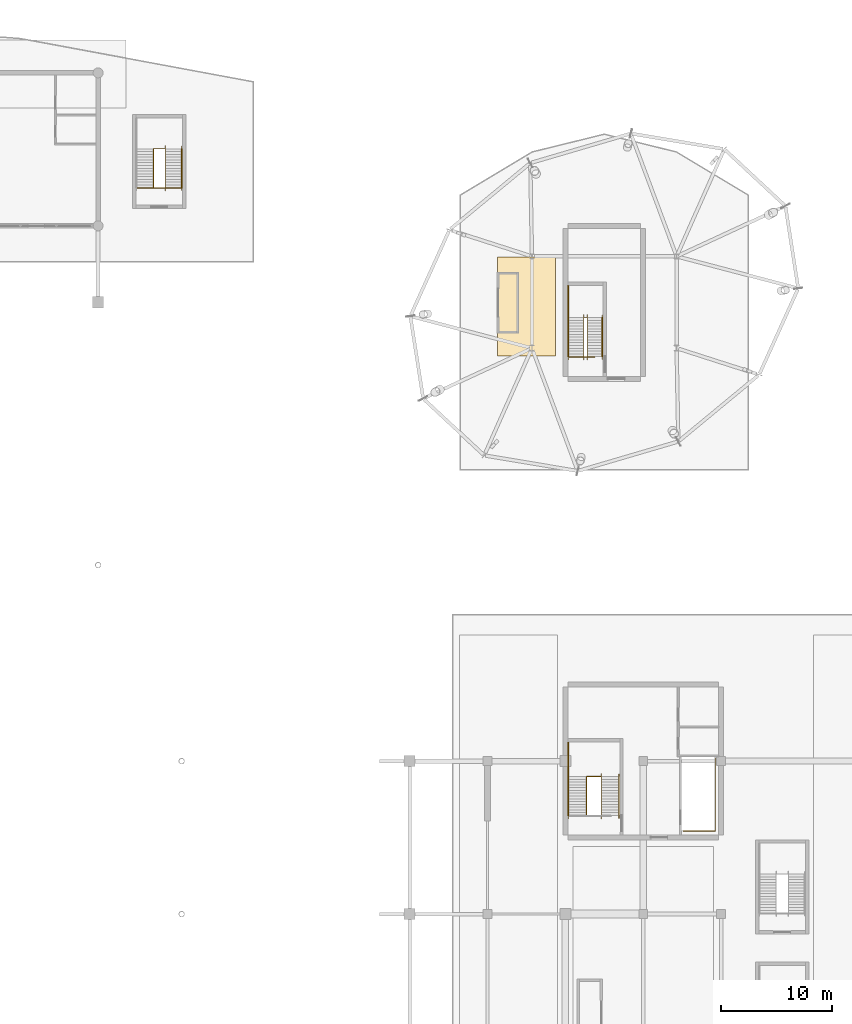
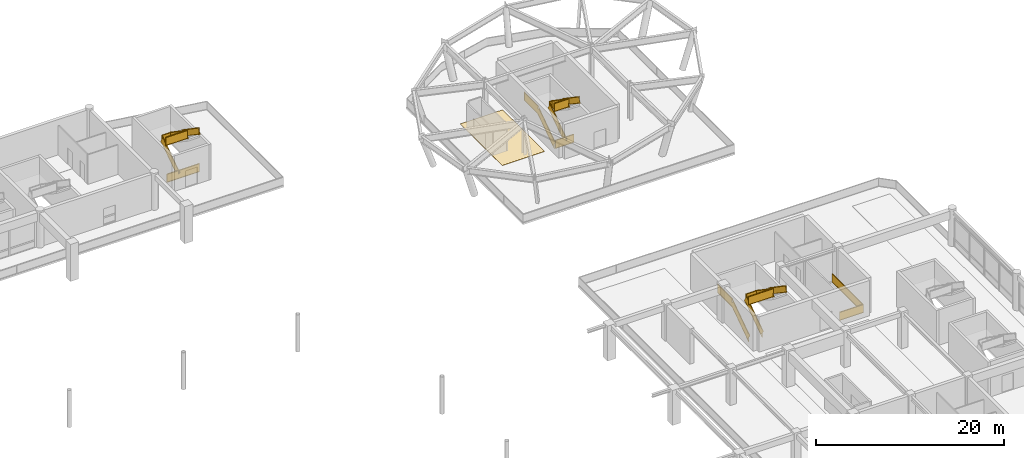
# One storey, part 90 of 91: 11 railings, 1 covering.
"""IFC4 building model written with IfcOpenShell, lengths in metres."""

from ifc_helpers import new_model, si_unit, direction, frame, origin, origin_2d, place, context, subcontext, project, spatial, polyline, rectangle, outline, extrude, material, layer, layer_set, type_object, element, save


model = new_model("IFC4")

# Units and contexts
model_context = context("Model", 3, precision=1e-05, world=origin(), true_north=direction((0.0, 1.0)))
body_context = subcontext(model_context, "Body", "Model", "MODEL_VIEW")
ifc_project = project(units=[si_unit("LENGTHUNIT", "METRE"), si_unit("AREAUNIT", "SQUARE_METRE"), si_unit("VOLUMEUNIT", "CUBIC_METRE"), si_unit("PLANEANGLEUNIT", "RADIAN"), si_unit("MASSUNIT", "GRAM", prefix="KILO")], contexts=[model_context])

# Site, building, storey
site_placement = place(None, origin())
site = spatial("IfcSite", under=ifc_project, at=site_placement, CompositionType="ELEMENT")
building_placement = place(site_placement, origin())
building = spatial("IfcBuilding", under=site, at=building_placement, Name="Linyun Crest Stadium", CompositionType="ELEMENT")
storey_placement = place(building_placement, frame((0.0, 0.0, 11.39990234375)))
storey = spatial("IfcBuildingStorey", under=building, at=storey_placement, Name="L03", CompositionType="ELEMENT", Elevation=11.39990234375)

# Covering
ifc_material_1 = material(Name="Terrazzo concourse and hospitality floor finish")
ifc_layer = layer(ifc_material_1, 0.02197265625)
ifc_layer_set = layer_set([ifc_layer], Name="Terrazzo concourse and hospitality floor finish")
covering_type = type_object("IfcCoveringType", Name="FLR02", PredefinedType="FLOORING", material=ifc_layer_set)
covering_placement = place(storey_placement, origin())
element("IfcCovering", 1, at=covering_placement, inside=storey, type_object=covering_type, Name="Terrazzo flooring FLR02 73", PredefinedType="FLOORING", context=body_context, shape_type="SweptSolid", body=[
    extrude(outline(polyline([(63.89990234375, 79.800048828125), (69.10009765625, 79.800048828125), (69.10009765625, 88.699951171875), (63.89990234375, 88.699951171875), (63.89990234375, 79.800048828125)])), origin(), (0.0, 0.0, 1.0), 0.022216796875),
])

# Railings
ifc_material_2 = material(Name="Galvanized and powder-coated steel bowl safety barrier", Category="steel")
railing_type_1 = type_object("IfcRailingType", Name="GR02", PredefinedType="GUARDRAIL", material=ifc_material_2)
railing_1_placement = place(storey_placement, frame((80.580078125, 37.090087890625, 0.0)))
element("IfcRailing", 2, at=railing_1_placement, inside=storey, type_object=railing_type_1, Name="Slab edge balustrade GR02 152", PredefinedType="GUARDRAIL", context=body_context, shape_type="SweptSolid", body=[
    extrude(rectangle(XDim=0.06005859375, YDim=0.06005859375, at=origin_2d()), frame((0.0, 0.0, 1.090087890625), z_axis=(1.0, 0.0, 0.0), x_axis=(0.0, 1.0, 0.0)), (0.0, 0.0, 1.0), 2.8798828125),
    extrude(rectangle(XDim=0.030029296875, YDim=1.0, at=origin_2d()), frame((0.0, 0.0, 0.56005859375), z_axis=(1.0, 0.0, 0.0), x_axis=(0.0, 1.0, 0.0)), (0.0, 0.0, 1.0), 2.8798828125),
    extrude(rectangle(XDim=0.06005859375, YDim=0.06005859375, at=origin_2d()), frame((0.0, 0.0, 0.030029296875), z_axis=(1.0, 0.0, 0.0), x_axis=(0.0, 1.0, 0.0)), (0.0, 0.0, 1.0), 2.8798828125),
    extrude(rectangle(XDim=0.06005859375, YDim=0.06005859375, at=origin_2d()), frame((2.8798828125, 0.0, 1.090087890625), z_axis=(0.0, 1.0, 0.0), x_axis=(-1.0, 0.0, 0.0)), (0.0, 0.0, 1.0), 6.5498046875),
    extrude(rectangle(XDim=0.030029296875, YDim=1.0, at=origin_2d()), frame((2.8798828125, 0.0, 0.56005859375), z_axis=(0.0, 1.0, 0.0), x_axis=(-1.0, 0.0, 0.0)), (0.0, 0.0, 1.0), 6.5498046875),
    extrude(rectangle(XDim=0.06005859375, YDim=0.06005859375, at=origin_2d()), frame((2.8798828125, 0.0, 0.030029296875), z_axis=(0.0, 1.0, 0.0), x_axis=(-1.0, 0.0, 0.0)), (0.0, 0.0, 1.0), 6.5498046875),
    extrude(rectangle(XDim=0.050048828125, YDim=0.050048828125, at=origin_2d()), origin(), (0.0, 0.0, 1.0), 1.1201171875),
    extrude(rectangle(XDim=0.050048828125, YDim=0.050048828125, at=origin_2d()), frame((2.8798828125, 0.0, 0.0)), (0.0, 0.0, 1.0), 1.1201171875),
    extrude(rectangle(XDim=0.050048828125, YDim=0.050048828125, at=origin_2d()), frame((2.8798828125, 3.27490234375, 0.0)), (0.0, 0.0, 1.0), 1.1201171875),
    extrude(rectangle(XDim=0.050048828125, YDim=0.050048828125, at=origin_2d()), frame((2.8798828125, 6.5498046875, 0.0)), (0.0, 0.0, 1.0), 1.1201171875),
])
railing_2_placement = place(storey_placement, frame((31.5400390625, 94.889892578125, 0.0)))
element("IfcRailing", 3, at=railing_2_placement, inside=storey, type_object=railing_type_1, Name="Slab edge balustrade GR02 206", PredefinedType="GUARDRAIL", context=body_context, shape_type="SweptSolid", body=[
    extrude(rectangle(XDim=0.06005859375, YDim=0.06005859375, at=origin_2d()), frame((0.0, 0.0, 1.090087890625), z_axis=(1.0, 0.0, 0.0), x_axis=(0.0, 1.0, 0.0)), (0.0, 0.0, 1.0), 3.919921875),
    extrude(rectangle(XDim=0.030029296875, YDim=1.0, at=origin_2d()), frame((0.0, 0.0, 0.56005859375), z_axis=(1.0, 0.0, 0.0), x_axis=(0.0, 1.0, 0.0)), (0.0, 0.0, 1.0), 3.919921875),
    extrude(rectangle(XDim=0.06005859375, YDim=0.06005859375, at=origin_2d()), frame((0.0, 0.0, 0.030029296875), z_axis=(1.0, 0.0, 0.0), x_axis=(0.0, 1.0, 0.0)), (0.0, 0.0, 1.0), 3.919921875),
    extrude(rectangle(XDim=0.050048828125, YDim=0.050048828125, at=origin_2d()), origin(), (0.0, 0.0, 1.0), 1.1201171875),
    extrude(rectangle(XDim=0.050048828125, YDim=0.050048828125, at=origin_2d()), frame((3.919921875, 0.0, 0.0)), (0.0, 0.0, 1.0), 1.1201171875),
])
railing_3_placement = place(storey_placement, frame((70.364990234375, 79.7099609375, 0.0)))
element("IfcRailing", 4, at=railing_3_placement, inside=storey, type_object=railing_type_1, Name="Slab edge balustrade GR02 336", PredefinedType="GUARDRAIL", context=body_context, shape_type="SweptSolid", body=[
    extrude(rectangle(XDim=0.06005859375, YDim=0.06005859375, at=origin_2d()), frame((0.0, 0.0, 1.090087890625), z_axis=(1.0, 0.0, 0.0), x_axis=(0.0, 1.0, 0.0)), (0.0, 0.0, 1.0), 2.235107421875),
    extrude(rectangle(XDim=0.030029296875, YDim=1.0, at=origin_2d()), frame((0.0, 0.0, 0.56005859375), z_axis=(1.0, 0.0, 0.0), x_axis=(0.0, 1.0, 0.0)), (0.0, 0.0, 1.0), 2.235107421875),
    extrude(rectangle(XDim=0.06005859375, YDim=0.06005859375, at=origin_2d()), frame((0.0, 0.0, 0.030029296875), z_axis=(1.0, 0.0, 0.0), x_axis=(0.0, 1.0, 0.0)), (0.0, 0.0, 1.0), 2.235107421875),
    extrude(rectangle(XDim=0.050048828125, YDim=0.050048828125, at=origin_2d()), origin(), (0.0, 0.0, 1.0), 1.1201171875),
    extrude(rectangle(XDim=0.050048828125, YDim=0.050048828125, at=origin_2d()), frame((2.235107421875, 0.0, 0.0)), (0.0, 0.0, 1.0), 1.1201171875),
])
ifc_material_3 = material(Name="Painted steel stairwell safety guard", Category="steel")
railing_type_2 = type_object("IfcRailingType", Name="GR03", PredefinedType="GUARDRAIL", material=ifc_material_3)
railing_4_placement = place(storey_placement, frame((70.2548828125, 38.489990234375, 0.0)))
element("IfcRailing", 5, at=railing_4_placement, inside=storey, type_object=railing_type_2, Name="STR-06-L03 outer guard", PredefinedType="GUARDRAIL", context=body_context, shape_type="SweptSolid", body=[
    extrude(rectangle(XDim=0.06005859375, YDim=0.06005859375, at=origin_2d()), frame((0.0, 0.0, 1.090087890625), z_axis=(0.0, 0.824712752785, 0.565551832633), x_axis=(-1.0, 0.0, 0.0)), (0.0, 0.0, 1.0), 4.243896484375),
    extrude(rectangle(XDim=0.030029296875, YDim=1.0, at=origin_2d()), frame((0.0, 0.0, 0.56005859375), z_axis=(0.0, 0.824712752785, 0.565551832633), x_axis=(-1.0, 0.0, 0.0)), (0.0, 0.0, 1.0), 4.243896484375),
    extrude(rectangle(XDim=0.06005859375, YDim=0.06005859375, at=origin_2d()), frame((0.0, 0.0, 0.030029296875), z_axis=(0.0, 0.824712752785, 0.565551832633), x_axis=(-1.0, 0.0, 0.0)), (0.0, 0.0, 1.0), 4.243896484375),
    extrude(rectangle(XDim=0.06005859375, YDim=0.06005859375, at=origin_2d()), frame((0.0, 3.5, 3.490234375), z_axis=(0.0, 1.0, 0.0), x_axis=(-1.0, 0.0, 0.0)), (0.0, 0.0, 1.0), 3.080078125),
    extrude(rectangle(XDim=0.030029296875, YDim=1.0, at=origin_2d()), frame((0.0, 3.5, 2.960205078125), z_axis=(0.0, 1.0, 0.0), x_axis=(-1.0, 0.0, 0.0)), (0.0, 0.0, 1.0), 3.080078125),
    extrude(rectangle(XDim=0.06005859375, YDim=0.06005859375, at=origin_2d()), frame((0.0, 3.5, 2.43017578125), z_axis=(0.0, 1.0, 0.0), x_axis=(-1.0, 0.0, 0.0)), (0.0, 0.0, 1.0), 3.080078125),
    extrude(rectangle(XDim=0.050048828125, YDim=0.050048828125, at=origin_2d()), origin(), (0.0, 0.0, 1.0), 1.1201171875),
    extrude(rectangle(XDim=0.050048828125, YDim=0.050048828125, at=origin_2d()), frame((0.0, 1.166748046875, 0.800048828125)), (0.0, 0.0, 1.0), 1.1201171875),
    extrude(rectangle(XDim=0.050048828125, YDim=0.050048828125, at=origin_2d()), frame((0.0, 2.333251953125, 1.60009765625)), (0.0, 0.0, 1.0), 1.1201171875),
    extrude(rectangle(XDim=0.050048828125, YDim=0.050048828125, at=origin_2d()), frame((0.0, 3.5, 2.400146484375)), (0.0, 0.0, 1.0), 1.1201171875),
    extrude(rectangle(XDim=0.050048828125, YDim=0.050048828125, at=origin_2d()), frame((0.0, 5.0400390625, 2.400146484375)), (0.0, 0.0, 1.0), 1.1201171875),
    extrude(rectangle(XDim=0.050048828125, YDim=0.050048828125, at=origin_2d()), frame((0.0, 6.580078125, 2.400146484375)), (0.0, 0.0, 1.0), 1.1201171875),
])
railing_5_placement = place(storey_placement, frame((71.89501953125, 38.469970703125, 0.0)))
element("IfcRailing", 6, at=railing_5_placement, inside=storey, type_object=railing_type_2, Name="STR-06-L03 inner well guard", PredefinedType="GUARDRAIL", context=body_context, shape_type="SweptSolid", body=[
    extrude(rectangle(XDim=0.06005859375, YDim=0.06005859375, at=origin_2d()), frame((0.0, 0.0, 1.090087890625), z_axis=(0.0, 0.826212794201, 0.563358162005), x_axis=(-1.0, 0.0, 0.0)), (0.0, 0.0, 1.0), 4.260498046875),
    extrude(rectangle(XDim=0.030029296875, YDim=1.0, at=origin_2d()), frame((0.0, 0.0, 0.56005859375), z_axis=(0.0, 0.826212794201, 0.563358162005), x_axis=(-1.0, 0.0, 0.0)), (0.0, 0.0, 1.0), 4.260498046875),
    extrude(rectangle(XDim=0.06005859375, YDim=0.06005859375, at=origin_2d()), frame((0.0, 0.0, 0.030029296875), z_axis=(0.0, 0.826212794201, 0.563358162005), x_axis=(-1.0, 0.0, 0.0)), (0.0, 0.0, 1.0), 4.260498046875),
    extrude(rectangle(XDim=0.06005859375, YDim=0.06005859375, at=origin_2d()), frame((0.0, 3.52001953125, 3.490234375), z_axis=(1.0, 0.0, 0.0), x_axis=(0.0, 1.0, 0.0)), (0.0, 0.0, 1.0), 1.3349609375),
    extrude(rectangle(XDim=0.030029296875, YDim=1.0, at=origin_2d()), frame((0.0, 3.52001953125, 2.960205078125), z_axis=(1.0, 0.0, 0.0), x_axis=(0.0, 1.0, 0.0)), (0.0, 0.0, 1.0), 1.3349609375),
    extrude(rectangle(XDim=0.06005859375, YDim=0.06005859375, at=origin_2d()), frame((0.0, 3.52001953125, 2.43017578125), z_axis=(1.0, 0.0, 0.0), x_axis=(0.0, 1.0, 0.0)), (0.0, 0.0, 1.0), 1.3349609375),
    extrude(rectangle(XDim=0.06005859375, YDim=0.06005859375, at=origin_2d()), frame((1.3349609375, 3.52001953125, 3.490234375), z_axis=(0.0, -0.826239466617, 0.563319042644), x_axis=(1.0, 0.0, 0.0)), (0.0, 0.0, 1.0), 4.26025390625),
    extrude(rectangle(XDim=0.030029296875, YDim=1.0, at=origin_2d()), frame((1.3349609375, 3.52001953125, 2.960205078125), z_axis=(0.0, -0.826239466617, 0.563319042644), x_axis=(1.0, 0.0, 0.0)), (0.0, 0.0, 1.0), 4.26025390625),
    extrude(rectangle(XDim=0.06005859375, YDim=0.06005859375, at=origin_2d()), frame((1.3349609375, 3.52001953125, 2.43017578125), z_axis=(0.0, -0.826239466617, 0.563319042644), x_axis=(1.0, 0.0, 0.0)), (0.0, 0.0, 1.0), 4.26025390625),
    extrude(rectangle(XDim=0.06005859375, YDim=0.06005859375, at=origin_2d()), frame((1.3349609375, 0.0, 5.89013671875), z_axis=(-1.0, 0.0, 0.0), x_axis=(0.0, -1.0, 0.0)), (0.0, 0.0, 1.0), 2.98486328125),
    extrude(rectangle(XDim=0.030029296875, YDim=1.0, at=origin_2d()), frame((1.3349609375, 0.0, 5.360107421875), z_axis=(-1.0, 0.0, 0.0), x_axis=(0.0, -1.0, 0.0)), (0.0, 0.0, 1.0), 2.98486328125),
    extrude(rectangle(XDim=0.06005859375, YDim=0.06005859375, at=origin_2d()), frame((1.3349609375, 0.0, 4.830078125), z_axis=(-1.0, 0.0, 0.0), x_axis=(0.0, -1.0, 0.0)), (0.0, 0.0, 1.0), 2.98486328125),
    extrude(rectangle(XDim=0.050048828125, YDim=0.050048828125, at=origin_2d()), origin(), (0.0, 0.0, 1.0), 1.1201171875),
    extrude(rectangle(XDim=0.050048828125, YDim=0.050048828125, at=origin_2d()), frame((0.0, 1.17333984375, 0.800048828125)), (0.0, 0.0, 1.0), 1.1201171875),
    extrude(rectangle(XDim=0.050048828125, YDim=0.050048828125, at=origin_2d()), frame((0.0, 2.3466796875, 1.60009765625)), (0.0, 0.0, 1.0), 1.1201171875),
    extrude(rectangle(XDim=0.050048828125, YDim=0.050048828125, at=origin_2d()), frame((0.0, 3.52001953125, 2.400146484375)), (0.0, 0.0, 1.0), 1.1201171875),
    extrude(rectangle(XDim=0.050048828125, YDim=0.050048828125, at=origin_2d()), frame((1.3349609375, 3.52001953125, 2.400146484375)), (0.0, 0.0, 1.0), 1.1201171875),
    extrude(rectangle(XDim=0.050048828125, YDim=0.050048828125, at=origin_2d()), frame((1.3349609375, 2.3466796875, 3.2001953125)), (0.0, 0.0, 1.0), 1.1201171875),
    extrude(rectangle(XDim=0.050048828125, YDim=0.050048828125, at=origin_2d()), frame((1.3349609375, 1.17333984375, 4.0)), (0.0, 0.0, 1.0), 1.1201171875),
    extrude(rectangle(XDim=0.050048828125, YDim=0.050048828125, at=origin_2d()), frame((1.3349609375, 0.0, 4.800048828125)), (0.0, 0.0, 1.0), 1.1201171875),
    extrude(rectangle(XDim=0.050048828125, YDim=0.050048828125, at=origin_2d()), frame((-0.157470703125, 0.0, 4.800048828125)), (0.0, 0.0, 1.0), 1.1201171875),
    extrude(rectangle(XDim=0.050048828125, YDim=0.050048828125, at=origin_2d()), frame((-1.64990234375, 0.0, 4.800048828125)), (0.0, 0.0, 1.0), 1.1201171875),
])
railing_6_placement = place(storey_placement, frame((70.2548828125, 79.739990234375, 0.0)))
element("IfcRailing", 7, at=railing_6_placement, inside=storey, type_object=railing_type_2, Name="STR-12-L03 outer guard", PredefinedType="GUARDRAIL", context=body_context, shape_type="SweptSolid", body=[
    extrude(rectangle(XDim=0.06005859375, YDim=0.06005859375, at=origin_2d()), frame((0.0, 0.0, 1.090087890625), z_axis=(0.0, 0.824712752785, 0.565551832633), x_axis=(-1.0, 0.0, 0.0)), (0.0, 0.0, 1.0), 4.243896484375),
    extrude(rectangle(XDim=0.030029296875, YDim=1.0, at=origin_2d()), frame((0.0, 0.0, 0.56005859375), z_axis=(0.0, 0.824712752785, 0.565551832633), x_axis=(-1.0, 0.0, 0.0)), (0.0, 0.0, 1.0), 4.243896484375),
    extrude(rectangle(XDim=0.06005859375, YDim=0.06005859375, at=origin_2d()), frame((0.0, 0.0, 0.030029296875), z_axis=(0.0, 0.824712752785, 0.565551832633), x_axis=(-1.0, 0.0, 0.0)), (0.0, 0.0, 1.0), 4.243896484375),
    extrude(rectangle(XDim=0.06005859375, YDim=0.06005859375, at=origin_2d()), frame((0.0, 3.5, 3.490234375), z_axis=(0.0, 1.0, 0.0), x_axis=(-1.0, 0.0, 0.0)), (0.0, 0.0, 1.0), 2.880126953125),
    extrude(rectangle(XDim=0.030029296875, YDim=1.0, at=origin_2d()), frame((0.0, 3.5, 2.960205078125), z_axis=(0.0, 1.0, 0.0), x_axis=(-1.0, 0.0, 0.0)), (0.0, 0.0, 1.0), 2.880126953125),
    extrude(rectangle(XDim=0.06005859375, YDim=0.06005859375, at=origin_2d()), frame((0.0, 3.5, 2.43017578125), z_axis=(0.0, 1.0, 0.0), x_axis=(-1.0, 0.0, 0.0)), (0.0, 0.0, 1.0), 2.880126953125),
    extrude(rectangle(XDim=0.050048828125, YDim=0.050048828125, at=origin_2d()), origin(), (0.0, 0.0, 1.0), 1.1201171875),
    extrude(rectangle(XDim=0.050048828125, YDim=0.050048828125, at=origin_2d()), frame((0.0, 1.166748046875, 0.800048828125)), (0.0, 0.0, 1.0), 1.1201171875),
    extrude(rectangle(XDim=0.050048828125, YDim=0.050048828125, at=origin_2d()), frame((0.0, 2.333251953125, 1.60009765625)), (0.0, 0.0, 1.0), 1.1201171875),
    extrude(rectangle(XDim=0.050048828125, YDim=0.050048828125, at=origin_2d()), frame((0.0, 3.5, 2.400146484375)), (0.0, 0.0, 1.0), 1.1201171875),
    extrude(rectangle(XDim=0.050048828125, YDim=0.050048828125, at=origin_2d()), frame((0.0, 4.93994140625, 2.400146484375)), (0.0, 0.0, 1.0), 1.1201171875),
    extrude(rectangle(XDim=0.050048828125, YDim=0.050048828125, at=origin_2d()), frame((0.0, 6.380126953125, 2.400146484375)), (0.0, 0.0, 1.0), 1.1201171875),
])
railing_7_placement = place(storey_placement, frame((71.64501953125, 79.719970703125, 0.0)))
element("IfcRailing", 8, at=railing_7_placement, inside=storey, type_object=railing_type_2, Name="STR-12-L03 inner well guard", PredefinedType="GUARDRAIL", context=body_context, shape_type="SweptSolid", body=[
    extrude(rectangle(XDim=0.06005859375, YDim=0.06005859375, at=origin_2d()), frame((0.0, 0.0, 1.090087890625), z_axis=(0.0, 0.826212794201, 0.563358162005), x_axis=(-1.0, 0.0, 0.0)), (0.0, 0.0, 1.0), 4.260498046875),
    extrude(rectangle(XDim=0.030029296875, YDim=1.0, at=origin_2d()), frame((0.0, 0.0, 0.56005859375), z_axis=(0.0, 0.826212794201, 0.563358162005), x_axis=(-1.0, 0.0, 0.0)), (0.0, 0.0, 1.0), 4.260498046875),
    extrude(rectangle(XDim=0.06005859375, YDim=0.06005859375, at=origin_2d()), frame((0.0, 0.0, 0.030029296875), z_axis=(0.0, 0.826212794201, 0.563358162005), x_axis=(-1.0, 0.0, 0.0)), (0.0, 0.0, 1.0), 4.260498046875),
    extrude(rectangle(XDim=0.06005859375, YDim=0.06005859375, at=origin_2d()), frame((0.0, 3.52001953125, 3.490234375), z_axis=(1.0, 0.0, 0.0), x_axis=(0.0, 1.0, 0.0)), (0.0, 0.0, 1.0), 0.3349609375),
    extrude(rectangle(XDim=0.030029296875, YDim=1.0, at=origin_2d()), frame((0.0, 3.52001953125, 2.960205078125), z_axis=(1.0, 0.0, 0.0), x_axis=(0.0, 1.0, 0.0)), (0.0, 0.0, 1.0), 0.3349609375),
    extrude(rectangle(XDim=0.06005859375, YDim=0.06005859375, at=origin_2d()), frame((0.0, 3.52001953125, 2.43017578125), z_axis=(1.0, 0.0, 0.0), x_axis=(0.0, 1.0, 0.0)), (0.0, 0.0, 1.0), 0.3349609375),
    extrude(rectangle(XDim=0.06005859375, YDim=0.06005859375, at=origin_2d()), frame((0.3349609375, 3.52001953125, 3.490234375), z_axis=(0.0, -0.826239466617, 0.563319042644), x_axis=(1.0, 0.0, 0.0)), (0.0, 0.0, 1.0), 4.26025390625),
    extrude(rectangle(XDim=0.030029296875, YDim=1.0, at=origin_2d()), frame((0.3349609375, 3.52001953125, 2.960205078125), z_axis=(0.0, -0.826239466617, 0.563319042644), x_axis=(1.0, 0.0, 0.0)), (0.0, 0.0, 1.0), 4.26025390625),
    extrude(rectangle(XDim=0.06005859375, YDim=0.06005859375, at=origin_2d()), frame((0.3349609375, 3.52001953125, 2.43017578125), z_axis=(0.0, -0.826239466617, 0.563319042644), x_axis=(1.0, 0.0, 0.0)), (0.0, 0.0, 1.0), 4.26025390625),
    extrude(rectangle(XDim=0.06005859375, YDim=0.06005859375, at=origin_2d()), frame((0.3349609375, 0.0, 5.89013671875), z_axis=(-1.0, 0.0, 0.0), x_axis=(0.0, -1.0, 0.0)), (0.0, 0.0, 1.0), 1.73486328125),
    extrude(rectangle(XDim=0.030029296875, YDim=1.0, at=origin_2d()), frame((0.3349609375, 0.0, 5.360107421875), z_axis=(-1.0, 0.0, 0.0), x_axis=(0.0, -1.0, 0.0)), (0.0, 0.0, 1.0), 1.73486328125),
    extrude(rectangle(XDim=0.06005859375, YDim=0.06005859375, at=origin_2d()), frame((0.3349609375, 0.0, 4.830078125), z_axis=(-1.0, 0.0, 0.0), x_axis=(0.0, -1.0, 0.0)), (0.0, 0.0, 1.0), 1.73486328125),
    extrude(rectangle(XDim=0.050048828125, YDim=0.050048828125, at=origin_2d()), origin(), (0.0, 0.0, 1.0), 1.1201171875),
    extrude(rectangle(XDim=0.050048828125, YDim=0.050048828125, at=origin_2d()), frame((0.0, 1.17333984375, 0.800048828125)), (0.0, 0.0, 1.0), 1.1201171875),
    extrude(rectangle(XDim=0.050048828125, YDim=0.050048828125, at=origin_2d()), frame((0.0, 2.3466796875, 1.60009765625)), (0.0, 0.0, 1.0), 1.1201171875),
    extrude(rectangle(XDim=0.050048828125, YDim=0.050048828125, at=origin_2d()), frame((0.0, 3.52001953125, 2.400146484375)), (0.0, 0.0, 1.0), 1.1201171875),
    extrude(rectangle(XDim=0.050048828125, YDim=0.050048828125, at=origin_2d()), frame((0.3349609375, 3.52001953125, 2.400146484375)), (0.0, 0.0, 1.0), 1.1201171875),
    extrude(rectangle(XDim=0.050048828125, YDim=0.050048828125, at=origin_2d()), frame((0.3349609375, 2.3466796875, 3.2001953125)), (0.0, 0.0, 1.0), 1.1201171875),
    extrude(rectangle(XDim=0.050048828125, YDim=0.050048828125, at=origin_2d()), frame((0.3349609375, 1.17333984375, 4.0)), (0.0, 0.0, 1.0), 1.1201171875),
    extrude(rectangle(XDim=0.050048828125, YDim=0.050048828125, at=origin_2d()), frame((0.3349609375, 0.0, 4.800048828125)), (0.0, 0.0, 1.0), 1.1201171875),
    extrude(rectangle(XDim=0.050048828125, YDim=0.050048828125, at=origin_2d()), frame((-1.39990234375, 0.0, 4.800048828125)), (0.0, 0.0, 1.0), 1.1201171875),
])
railing_8_placement = place(storey_placement, frame((32.969970703125, 94.89990234375, 0.0)))
element("IfcRailing", 9, at=railing_8_placement, inside=storey, type_object=railing_type_2, Name="STR-26-L03 inner well guard", PredefinedType="GUARDRAIL", context=body_context, shape_type="SweptSolid", body=[
    extrude(rectangle(XDim=0.06005859375, YDim=0.06005859375, at=origin_2d()), frame((0.0, 0.0, 1.090087890625), z_axis=(0.0, 0.826212794201, 0.563358162005), x_axis=(-1.0, 0.0, 0.0)), (0.0, 0.0, 1.0), 4.260498046875),
    extrude(rectangle(XDim=0.030029296875, YDim=1.0, at=origin_2d()), frame((0.0, 0.0, 0.56005859375), z_axis=(0.0, 0.826212794201, 0.563358162005), x_axis=(-1.0, 0.0, 0.0)), (0.0, 0.0, 1.0), 4.260498046875),
    extrude(rectangle(XDim=0.06005859375, YDim=0.06005859375, at=origin_2d()), frame((0.0, 0.0, 0.030029296875), z_axis=(0.0, 0.826212794201, 0.563358162005), x_axis=(-1.0, 0.0, 0.0)), (0.0, 0.0, 1.0), 4.260498046875),
    extrude(rectangle(XDim=0.06005859375, YDim=0.06005859375, at=origin_2d()), frame((0.0, 3.52001953125, 3.490234375), z_axis=(1.0, 0.0, 0.0), x_axis=(0.0, 1.0, 0.0)), (0.0, 0.0, 1.0), 1.06005859375),
    extrude(rectangle(XDim=0.030029296875, YDim=1.0, at=origin_2d()), frame((0.0, 3.52001953125, 2.960205078125), z_axis=(1.0, 0.0, 0.0), x_axis=(0.0, 1.0, 0.0)), (0.0, 0.0, 1.0), 1.06005859375),
    extrude(rectangle(XDim=0.06005859375, YDim=0.06005859375, at=origin_2d()), frame((0.0, 3.52001953125, 2.43017578125), z_axis=(1.0, 0.0, 0.0), x_axis=(0.0, 1.0, 0.0)), (0.0, 0.0, 1.0), 1.06005859375),
    extrude(rectangle(XDim=0.06005859375, YDim=0.06005859375, at=origin_2d()), frame((1.06005859375, 3.52001953125, 3.490234375), z_axis=(0.0, -0.826239466617, 0.563319042644), x_axis=(1.0, 0.0, 0.0)), (0.0, 0.0, 1.0), 4.26025390625),
    extrude(rectangle(XDim=0.030029296875, YDim=1.0, at=origin_2d()), frame((1.06005859375, 3.52001953125, 2.960205078125), z_axis=(0.0, -0.826239466617, 0.563319042644), x_axis=(1.0, 0.0, 0.0)), (0.0, 0.0, 1.0), 4.26025390625),
    extrude(rectangle(XDim=0.06005859375, YDim=0.06005859375, at=origin_2d()), frame((1.06005859375, 3.52001953125, 2.43017578125), z_axis=(0.0, -0.826239466617, 0.563319042644), x_axis=(1.0, 0.0, 0.0)), (0.0, 0.0, 1.0), 4.26025390625),
    extrude(rectangle(XDim=0.06005859375, YDim=0.06005859375, at=origin_2d()), frame((1.06005859375, 0.0, 5.89013671875), z_axis=(-1.0, 0.0, 0.0), x_axis=(0.0, -1.0, 0.0)), (0.0, 0.0, 1.0), 2.610107421875),
    extrude(rectangle(XDim=0.030029296875, YDim=1.0, at=origin_2d()), frame((1.06005859375, 0.0, 5.360107421875), z_axis=(-1.0, 0.0, 0.0), x_axis=(0.0, -1.0, 0.0)), (0.0, 0.0, 1.0), 2.610107421875),
    extrude(rectangle(XDim=0.06005859375, YDim=0.06005859375, at=origin_2d()), frame((1.06005859375, 0.0, 4.830078125), z_axis=(-1.0, 0.0, 0.0), x_axis=(0.0, -1.0, 0.0)), (0.0, 0.0, 1.0), 2.610107421875),
    extrude(rectangle(XDim=0.050048828125, YDim=0.050048828125, at=origin_2d()), origin(), (0.0, 0.0, 1.0), 1.1201171875),
    extrude(rectangle(XDim=0.050048828125, YDim=0.050048828125, at=origin_2d()), frame((0.0, 1.17333984375, 0.800048828125)), (0.0, 0.0, 1.0), 1.1201171875),
    extrude(rectangle(XDim=0.050048828125, YDim=0.050048828125, at=origin_2d()), frame((0.0, 2.3466796875, 1.60009765625)), (0.0, 0.0, 1.0), 1.1201171875),
    extrude(rectangle(XDim=0.050048828125, YDim=0.050048828125, at=origin_2d()), frame((0.0, 3.52001953125, 2.400146484375)), (0.0, 0.0, 1.0), 1.1201171875),
    extrude(rectangle(XDim=0.050048828125, YDim=0.050048828125, at=origin_2d()), frame((1.06005859375, 3.52001953125, 2.400146484375)), (0.0, 0.0, 1.0), 1.1201171875),
    extrude(rectangle(XDim=0.050048828125, YDim=0.050048828125, at=origin_2d()), frame((1.06005859375, 2.3466796875, 3.2001953125)), (0.0, 0.0, 1.0), 1.1201171875),
    extrude(rectangle(XDim=0.050048828125, YDim=0.050048828125, at=origin_2d()), frame((1.06005859375, 1.17333984375, 4.0)), (0.0, 0.0, 1.0), 1.1201171875),
    extrude(rectangle(XDim=0.050048828125, YDim=0.050048828125, at=origin_2d()), frame((1.06005859375, 0.0, 4.800048828125)), (0.0, 0.0, 1.0), 1.1201171875),
    extrude(rectangle(XDim=0.050048828125, YDim=0.050048828125, at=origin_2d()), frame((-0.2451171875, 0.0, 4.800048828125)), (0.0, 0.0, 1.0), 1.1201171875),
    extrude(rectangle(XDim=0.050048828125, YDim=0.050048828125, at=origin_2d()), frame((-1.550048828125, 0.0, 4.800048828125)), (0.0, 0.0, 1.0), 1.1201171875),
])
ifc_material_4 = material(Name="Brushed stainless steel tubular handrail", Category="steel")
railing_type_3 = type_object("IfcRailingType", Name="HR01", PredefinedType="HANDRAIL", material=ifc_material_4)
for number, where, name in (
    (10, (74.820068359375, 41.989990234375, 2.400146484375), "STR-06-L03 handrail"),
    (11, (73.320068359375, 83.239990234375, 2.400146484375), "STR-12-L03 handrail"),
    (12, (35.52001953125, 98.419921875, 2.400146484375), "STR-26-L03 handrail"),
):
    element("IfcRailing", number, at=place(storey_placement, frame(where)), inside=storey, type_object=railing_type_3, Name=name, PredefinedType="HANDRAIL", context=body_context, shape_type="SweptSolid", body=[
        extrude(rectangle(XDim=0.06005859375, YDim=0.06005859375, at=origin_2d()), frame((0.0, 0.0, 0.889892578125), z_axis=(0.0, -0.824739584531, 0.5655127034), x_axis=(1.0, 0.0, 0.0)), (0.0, 0.0, 1.0), 4.24365234375),
        extrude(rectangle(XDim=0.030029296875, YDim=0.7998046875, at=origin_2d()), frame((0.0, 0.0, 0.4599609375), z_axis=(0.0, -0.824739584531, 0.5655127034), x_axis=(1.0, 0.0, 0.0)), (0.0, 0.0, 1.0), 4.24365234375),
        extrude(rectangle(XDim=0.06005859375, YDim=0.06005859375, at=origin_2d()), frame((0.0, 0.0, 0.030029296875), z_axis=(0.0, -0.824739584531, 0.5655127034), x_axis=(1.0, 0.0, 0.0)), (0.0, 0.0, 1.0), 4.24365234375),
        extrude(rectangle(XDim=0.050048828125, YDim=0.050048828125, at=origin_2d()), origin(), (0.0, 0.0, 1.0), 0.919921875),
        extrude(rectangle(XDim=0.050048828125, YDim=0.050048828125, at=origin_2d()), frame((0.0, -1.75, 1.199951171875)), (0.0, 0.0, 1.0), 0.919921875),
        extrude(rectangle(XDim=0.050048828125, YDim=0.050048828125, at=origin_2d()), frame((0.0, -3.5, 2.39990234375)), (0.0, 0.0, 1.0), 0.919921875),
    ])

save(model, "model.ifc")
